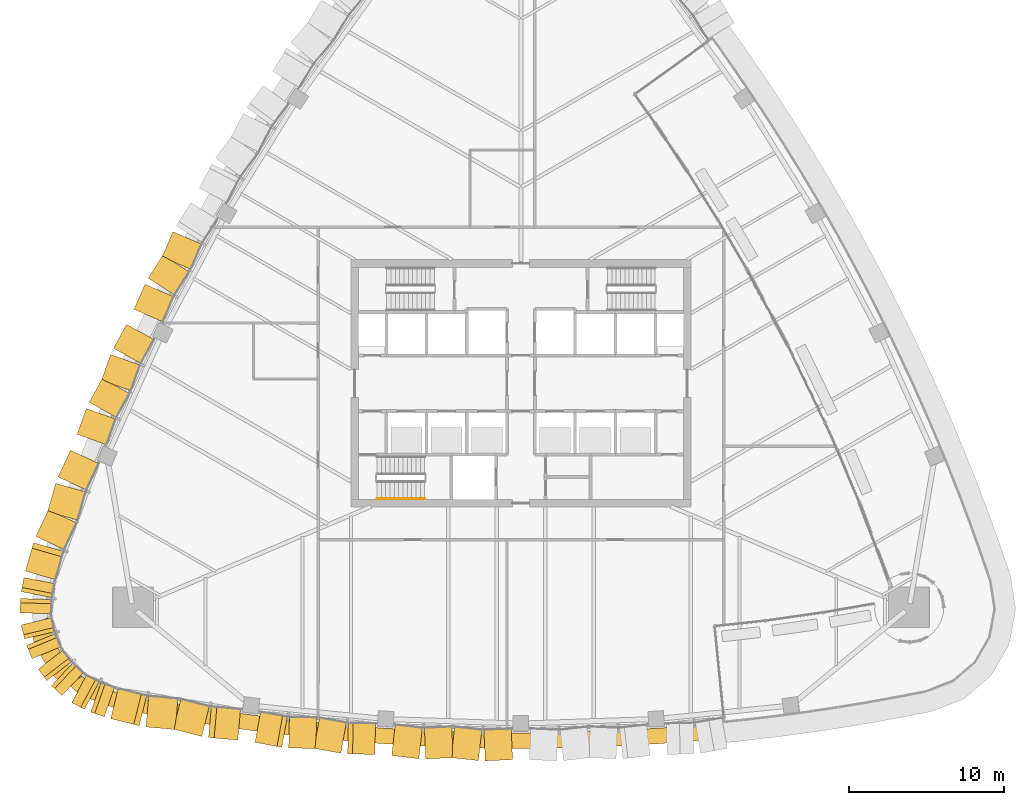
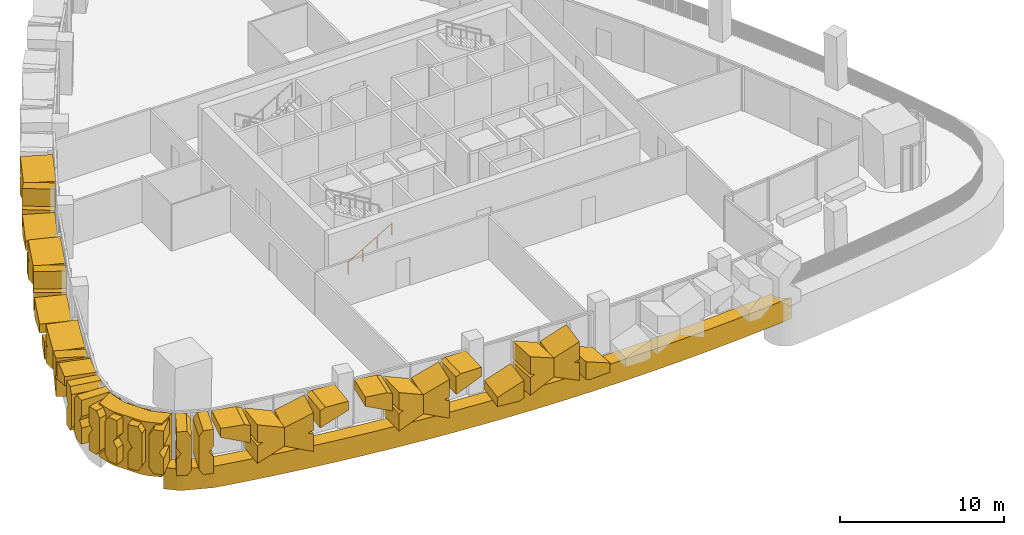
# One storey, part 16 of 20: 33 coverings, 1 railing.
"""IFC4 building model written with IfcOpenShell, lengths in metres."""

import ifcopenshell
import ifcopenshell.guid

model = None  # the IFC model being written
_history = None  # IfcOwnerHistory: only IFC2X3 demands one
_inside = {}  # id of a spatial element -> (the spatial element, [elements in it])
_under = {}  # id of a project, library or spatial element -> (it, [spatial elements below it])
_declared = {}  # id of a project -> (the project, [libraries it declares])
_typed = {}  # id of a type object -> (the type object, [elements of that type])
_made_of = {}  # id of a material, layer set ... -> (it, [elements and type objects made of it])


def new_model(schema):
    """Start an empty IFC model of exactly this schema.

    Asked for "IFC4X3", IfcOpenShell would pick the latest addendum, in which some entities
    have other attributes; the version numbers below select the first issue.
    IFC2X3 requires an IfcOwnerHistory on every rooted entity: one is made here for all.
    """
    global model, _history
    if schema == "IFC4X3":
        model = ifcopenshell.file(schema_version=(4, 3, 0, 0))
    else:
        model = ifcopenshell.file(schema=schema)
    _inside.clear()
    _under.clear()
    _declared.clear()
    _typed.clear()
    _made_of.clear()
    _history = None
    if model.schema == "IFC2X3":
        org = make("IfcOrganization", Name="unknown")
        user = make(
            "IfcPersonAndOrganization",
            ThePerson=make("IfcPerson", FamilyName="unknown"),
            TheOrganization=org,
        )
        app = make(
            "IfcApplication",
            ApplicationDeveloper=org,
            Version="unknown",
            ApplicationFullName="unknown",
            ApplicationIdentifier="unknown",
        )
        _history = make(
            "IfcOwnerHistory",
            OwningUser=user,
            OwningApplication=app,
            ChangeAction="ADDED",
            CreationDate=0,
        )
    return model


def make(cls, **values):
    """One entity of the class cls with the attributes given. An attribute that is None is left unset."""
    return model.create_entity(
        cls, **{name: value for name, value in values.items() if value is not None}
    )


def rooted(cls, **values):
    """An entity with a GlobalId (a new one), such as an element, a storey or a relation."""
    return make(cls, GlobalId=ifcopenshell.guid.new(), OwnerHistory=_history, **values)


def si_unit(unit_type, name, prefix=None):
    """IfcSIUnit, for example si_unit("LENGTHUNIT", "METRE", prefix="MILLI")."""
    return make("IfcSIUnit", UnitType=unit_type, Prefix=prefix, Name=name)


def assignment(units):
    """IfcUnitAssignment: the units of a project."""
    return None if units is None else make("IfcUnitAssignment", Units=units)


def point(xyz):
    """IfcCartesianPoint."""
    return None if xyz is None else make("IfcCartesianPoint", Coordinates=xyz)


def direction(xyz):
    """IfcDirection."""
    return None if xyz is None else make("IfcDirection", DirectionRatios=xyz)


def frame(location, z_axis=None, x_axis=None):
    """IfcAxis2Placement3D, a coordinate frame: its origin and axes. An axis left out is left unset."""
    return make(
        "IfcAxis2Placement3D",
        Location=point(location),
        Axis=direction(z_axis),
        RefDirection=direction(x_axis),
    )


def frame_2d(location, x_axis=None):
    """IfcAxis2Placement2D, a coordinate frame in the plane: its origin and x axis."""
    return make(
        "IfcAxis2Placement2D", Location=point(location), RefDirection=direction(x_axis)
    )


def origin():
    """The frame at (0, 0, 0) with its axes left unset."""
    return frame((0.0, 0.0, 0.0))


def origin_2d():
    """The frame at (0, 0) in the plane with its x axis left unset."""
    return frame_2d((0.0, 0.0))


def place(relative_to, where):
    """IfcLocalPlacement: puts the frame where relative to a parent placement (None: the world)."""
    return make(
        "IfcLocalPlacement", PlacementRelTo=relative_to, RelativePlacement=where
    )


def context(
    kind, dimensions, precision=None, world=None, true_north=None, identifier=None
):
    """IfcGeometricRepresentationContext, for example the 3D "Model" context."""
    return make(
        "IfcGeometricRepresentationContext",
        ContextIdentifier=identifier,
        ContextType=kind,
        CoordinateSpaceDimension=dimensions,
        Precision=precision,
        WorldCoordinateSystem=world,
        TrueNorth=true_north,
    )


def subcontext(parent, identifier, kind, view, scale=None):
    """IfcGeometricRepresentationSubContext, for example "Body" below "Model"."""
    return make(
        "IfcGeometricRepresentationSubContext",
        ContextIdentifier=identifier,
        ContextType=kind,
        ParentContext=parent,
        TargetScale=scale,
        TargetView=view,
    )


def project(units=None, contexts=None):
    """IfcProject with its units and contexts."""
    return rooted(
        "IfcProject",
        Name="project",
        RepresentationContexts=contexts,
        UnitsInContext=assignment(units),
    )


def spatial(cls, under=None, at=None, **own):
    """A site, building, storey or space (cls), placed at a placement, below another one or the project."""
    s = rooted(cls, ObjectPlacement=at, **own)
    if under is not None:
        _under.setdefault(under.id(), (under, []))[1].append(s)
    return s


def polyline(points):
    """IfcPolyline through the points."""
    return make("IfcPolyline", Points=[point(p) for p in points])


def profile(cls, at=None, kind="AREA", **sizes):
    """A parametric profile (cls). Its sizes go by their IFC names, for example OverallWidth=200.0."""
    return make(cls, ProfileType=kind, Position=at, **sizes)


def circle(**sizes):
    """IfcCircleProfileDef."""
    return profile("IfcCircleProfileDef", **sizes)


def outline(outer, holes=None, kind="AREA"):
    """IfcArbitraryClosedProfileDef: a profile drawn as a closed curve; with holes, ...WithVoids."""
    if holes is None:
        return make("IfcArbitraryClosedProfileDef", ProfileType=kind, OuterCurve=outer)
    return make(
        "IfcArbitraryProfileDefWithVoids",
        ProfileType=kind,
        OuterCurve=outer,
        InnerCurves=holes,
    )


def extrude(swept, where, along, depth):
    """IfcExtrudedAreaSolid: the profile swept, set in the frame where, extruded along a direction by depth."""
    return make(
        "IfcExtrudedAreaSolid",
        SweptArea=swept,
        Position=where,
        ExtrudedDirection=direction(along),
        Depth=depth,
    )


def shape(context_of_items, identifier, shape_type, items):
    """IfcShapeRepresentation: the items that make up one representation, for example the "Body"."""
    return make(
        "IfcShapeRepresentation",
        ContextOfItems=context_of_items,
        RepresentationIdentifier=identifier,
        RepresentationType=shape_type,
        Items=items,
    )


def material(Name=None, Category=None):
    """IfcMaterial."""
    return make("IfcMaterial", Name=Name, Category=Category)


def layer(
    of_material, thickness, ventilated=None, Name=None, Category=None, Priority=None
):
    """IfcMaterialLayer: one layer of a wall or slab, of a material (None: an air gap)."""
    return make(
        "IfcMaterialLayer",
        Material=of_material,
        LayerThickness=thickness,
        IsVentilated=ventilated,
        Name=Name,
        Category=Category,
        Priority=Priority,
    )


def layer_set(layers, Name=None):
    """IfcMaterialLayerSet."""
    return make("IfcMaterialLayerSet", MaterialLayers=layers, LayerSetName=Name)


def made_of(thing, what):
    """Note that an element or type object is made of a material, layer set ...; save() writes the relation."""
    if what is not None:
        _made_of.setdefault(what.id(), (what, []))[1].append(thing)
    return thing


def type_object(cls, material=None, **own):
    """A type object (cls), such as IfcWallType, which elements share."""
    return made_of(rooted(cls, **own), material)


def element(
    cls,
    number,
    at=None,
    inside=None,
    cuts=None,
    type_object=None,
    material=None,
    context=None,
    identifier="Body",
    shape_type=None,
    held_by="IfcProductDefinitionShape",
    body=None,
    shapes=None,
    **own,
):
    """One element of the class cls, such as IfcWall. Its Tag is "e" and its number.

    at: its placement. inside: the storey or other place that contains it. cuts: it is an
    opening in that element (IfcRelVoidsElement). A single representation is given by context,
    identifier, shape_type and body (its items); several are given by shapes. held_by: the class
    of the entity that holds the representations. save() writes the other relations.
    """
    e = rooted(cls, Tag="e%d" % number, ObjectPlacement=at, **own)
    if body is not None:
        shapes = [shape(context, identifier, shape_type, body)]
    if shapes is not None:
        e.Representation = make(held_by, Representations=shapes)
    if inside is not None:
        _inside.setdefault(inside.id(), (inside, []))[1].append(e)
    if cuts is not None:
        rooted(
            "IfcRelVoidsElement", RelatingBuildingElement=cuts, RelatedOpeningElement=e
        )
    if type_object is not None:
        _typed.setdefault(type_object.id(), (type_object, []))[1].append(e)
    return made_of(e, material)


def aggregate(whole, parts):
    """IfcRelAggregates: a whole, such as a stair, and the parts it consists of."""
    return rooted("IfcRelAggregates", RelatingObject=whole, RelatedObjects=parts)


def save(model, path):
    """Write the relations noted so far, then the file.

    IfcRelAggregates (storeys below a building ...), IfcRelContainedInSpatialStructure (elements
    in a storey), IfcRelDefinesByType, IfcRelAssociatesMaterial and IfcRelDeclares: one each for
    every whole, place, type object, material and project.
    """
    for whole, parts in _under.values():
        aggregate(whole, parts)
    for where, things in _inside.values():
        rooted(
            "IfcRelContainedInSpatialStructure",
            RelatedElements=things,
            RelatingStructure=where,
        )
    for kind, things in _typed.values():
        rooted("IfcRelDefinesByType", RelatedObjects=things, RelatingType=kind)
    for what, things in _made_of.values():
        rooted("IfcRelAssociatesMaterial", RelatedObjects=things, RelatingMaterial=what)
    for by, libraries in _declared.values():
        rooted("IfcRelDeclares", RelatingContext=by, RelatedDefinitions=libraries)
    model.write(path)


model = new_model("IFC4")

# Units and contexts
model_context = context("Model", 3, precision=1e-05, world=origin(), true_north=direction((0.0, 1.0)))
body_context = subcontext(model_context, "Body", "Model", "MODEL_VIEW")
ifc_project = project(units=[si_unit("LENGTHUNIT", "METRE"), si_unit("AREAUNIT", "SQUARE_METRE"), si_unit("VOLUMEUNIT", "CUBIC_METRE"), si_unit("PLANEANGLEUNIT", "RADIAN"), si_unit("MASSUNIT", "GRAM", prefix="KILO")], contexts=[model_context])

# Site, building, storey
site_placement = place(None, origin())
site = spatial("IfcSite", under=ifc_project, at=site_placement, CompositionType="ELEMENT")
building_placement = place(site_placement, origin())
building = spatial("IfcBuilding", under=site, at=building_placement, Name="Sierra Prisma Convention Tower", CompositionType="ELEMENT")
storey_placement = place(building_placement, frame((0.0, 0.0, 125.800048828125)))
storey = spatial("IfcBuildingStorey", under=building, at=storey_placement, Name="L26", CompositionType="ELEMENT", Elevation=125.800048828125)

# Coverings
ifc_material_1 = material(Name="Aluminium composite bronze anodised", Category="aluminium")
ifc_layer_1 = layer(ifc_material_1, 1.199951171875)
ifc_layer_set_1 = layer_set([ifc_layer_1], Name="Bronze corner pier")
covering_type_1 = type_object("IfcCoveringType", Name="Bronze corner pier", PredefinedType="CLADDING", material=ifc_layer_set_1)
covering_1_placement = place(storey_placement, frame((0.0, 0.0, -0.60009765625)))
element("IfcCovering", 1, at=covering_1_placement, inside=storey, type_object=covering_type_1, Name="Corner pier SW L26.1", PredefinedType="CLADDING", context=body_context, shape_type="SweptSolid", body=[
    extrude(outline(polyline([(-30.421630859375, -18.64794921875), (-31.360595703125, -17.021728515625), (-31.500732421875, -16.642578125), (-31.6689453125, -15.74365234375), (-30.567138671875, -15.107666015625), (-30.3212890625, -16.421875), (-29.38232421875, -18.048095703125), (-28.3671875, -18.918212890625), (-29.468994140625, -19.55419921875), (-30.1630859375, -18.959228515625), (-30.421630859375, -18.64794921875)])), origin(), (0.0, 0.0, 1.0), 4.0),
])
ifc_material_2 = material(Name="Aluminium 6063-T6 bronze anodised", Category="aluminium")
ifc_layer_2 = layer(ifc_material_2, 2.0)
ifc_layer_set_2 = layer_set([ifc_layer_2], Name="Bronze crystal chevron frame")
covering_type_2 = type_object("IfcCoveringType", Name="Bronze crystal chevron frame", PredefinedType="CLADDING", material=ifc_layer_set_2)
covering_2_placement = place(storey_placement, frame((-22.49072265625, 9.8095703125, 1.501953125), z_axis=(-0.916481510141, 0.400077044543, 0.0), x_axis=(0.0, 0.0, -1.0)))
element("IfcCovering", 2, at=covering_2_placement, inside=storey, type_object=covering_type_2, Name="CW-2 chevron frame NW4.1.2", PredefinedType="CLADDING", context=body_context, shape_type="SweptSolid", body=[
    extrude(outline(polyline([(0.0, 0.0), (1.3076171875, 0.0), (0.541748046875, 1.7690861965269538), (-0.81787109375, 1.7690861965269538), (-1.583740234375, 0.0), (-0.276123046875, 0.0), (-0.137939453125, 0.3188155724828706), (0.0, 0.0)])), origin(), (0.0, 0.0, -1.0), 2.0),
])
covering_3_placement = place(storey_placement, frame((-23.139892578125, 8.2978515625, 0.960205078125), z_axis=(-0.84257546134, 0.538578306235, 0.0), x_axis=(-0.49425753031, -0.773238100756, -0.3972560047)))
element("IfcCovering", 3, at=covering_3_placement, inside=storey, type_object=covering_type_2, Name="CW-2 chevron frame NW4.2.1", PredefinedType="CLADDING", context=body_context, shape_type="SweptSolid", body=[
    extrude(outline(polyline([(0.0, 0.0), (1.9278982106356317, -1.1102230246251565e-16), (1.4084394310525954, 1.2000105355202149), (1.0608461466466526, 1.1998535505916716), (1.298747892645498, 1.4534108185062795), (0.7792891130624618, 2.6534213540264946), (-0.5401168677180599, 1.2477331352337708), (0.0, 0.0)])), origin(), (0.0, 0.0, -1.0), 2.0),
])
covering_4_placement = place(storey_placement, frame((-24.301513671875, 6.416015625, 0.137939453125), z_axis=(-0.916484833458, 0.400069428355, 5.0369001e-05), x_axis=(-0.367211850035, -0.841164236915, -0.396986377259)))
element("IfcCovering", 4, at=covering_4_placement, inside=storey, type_object=covering_type_2, Name="CW-2 chevron frame NW4.2.2", PredefinedType="CLADDING", context=body_context, shape_type="SweptSolid", body=[
    extrude(outline(polyline([(0.0, 0.0), (0.3474664776139626, 0.0), (1.6784707406628647, 0.5756989111240234), (1.4086440623697327, 1.1995327513134582), (-0.5191062101070458, 1.2001630919736395), (0.0, 0.0)])), origin(), (0.0, 0.0, -1.0), 2.0),
])
covering_5_placement = place(storey_placement, frame((-26.18603515625, 2.548583984375, 0.0), z_axis=(-0.876723035717, 0.480995548517, -3.0830599e-05), x_axis=(-0.441108773362, -0.803994818289, 0.398767328436)))
element("IfcCovering", 5, at=covering_5_placement, inside=storey, type_object=covering_type_2, Name="CW-2 chevron frame NW5.1.1", PredefinedType="CLADDING", context=body_context, shape_type="SweptSolid", body=[
    extrude(outline(polyline([(0.0, 0.0), (0.34469015880656095, 2.7755575615628914e-17), (0.866514592501743, 1.2000486912246806), (-1.0536022727658325, 1.19984230450631), (-1.3248341519215745, 0.5760856526869146), (0.0, 0.0)])), origin(), (0.0, 0.0, -1.0), 2.0),
])
covering_6_placement = place(storey_placement, frame((-26.5205078125, 1.8671875, 1.50244140625), z_axis=(-0.941196401395, 0.337859932518, 0.0), x_axis=(0.0, 0.0, -1.0)))
element("IfcCovering", 6, at=covering_6_placement, inside=storey, type_object=covering_type_2, Name="CW-2 chevron frame NW5.1.2", PredefinedType="CLADDING", context=body_context, shape_type="SweptSolid", body=[
    extrude(outline(polyline([(0.0, 0.0), (1.30859375, 0.0), (0.542724609375, 1.7610222228069206), (-0.81787109375, 1.7610222228069206), (-1.58349609375, 0.0), (-0.27490234375, 0.0), (-0.137451171875, 0.3161531259303939), (0.0, 0.0)])), origin(), (0.0, 0.0, -1.0), 2.0),
])
covering_7_placement = place(storey_placement, frame((-27.064453125, 0.322998046875, 0.959716796875), z_axis=(-0.876694239659, 0.4810480331, 0.0), x_axis=(-0.441138713155, -0.803960814934, -0.398802763038)))
element("IfcCovering", 7, at=covering_7_placement, inside=storey, type_object=covering_type_2, Name="CW-2 chevron frame NW5.2.1", PredefinedType="CLADDING", context=body_context, shape_type="SweptSolid", body=[
    extrude(outline(polyline([(0.0, 0.0), (1.9204208486181995, 1.1102230246251565e-16), (1.39855004542375, 1.2000285277076719), (1.053663605079295, 1.1999298473972457), (1.2889182311705878, 1.4521240728940223), (0.7670474279761381, 2.6521526006016947), (-0.5426093257840797, 1.247716228528891), (0.0, 0.0)])), origin(), (0.0, 0.0, -1.0), 2.0),
])
covering_8_placement = place(storey_placement, frame((-28.09375, -1.625244140625, 0.137451171875), z_axis=(-0.941154676236, 0.337976145141, 2.6734098e-05), x_axis=(-0.30997308936, -0.863143656571, -0.398622267307)))
element("IfcCovering", 8, at=covering_8_placement, inside=storey, type_object=covering_type_2, Name="CW-2 chevron frame NW5.2.2", PredefinedType="CLADDING", context=body_context, shape_type="SweptSolid", body=[
    extrude(outline(polyline([(0.0, 0.0), (0.34481559252788013, 2.7755575615628914e-17), (1.669927005082173, 0.575956998642358), (1.398793792992737, 1.199756545268082), (-0.5216346076092527, 1.200131216767366), (0.0, 0.0)])), origin(), (0.0, 0.0, -1.0), 2.0),
])
covering_9_placement = place(storey_placement, frame((-29.765380859375, -5.71533203125, 0.0), z_axis=(-0.906896400979, 0.421353668808, 6.0598035e-05), x_axis=(-0.390456496989, -0.840449218429, 0.375751028209)))
element("IfcCovering", 9, at=covering_9_placement, inside=storey, type_object=covering_type_2, Name="CW-2 chevron frame NW6.1.1", PredefinedType="CLADDING", context=body_context, shape_type="SweptSolid", body=[
    extrude(outline(polyline([(0.0, 0.0), (0.3891945214160251, 2.7755575615628914e-17), (0.8756710113072074, 1.1998045901372278), (-1.1719518056449219, 1.1999225024420404), (-1.42431779163222, 0.5775083166099614), (0.0, 0.0)])), origin(), (0.0, 0.0, -1.0), 2.0),
])
covering_10_placement = place(storey_placement, frame((-30.072021484375, -6.4580078125, 1.49365234375), z_axis=(-0.961649368137, 0.27428177621, 0.0), x_axis=(0.0, 0.0, -1.0)))
element("IfcCovering", 10, at=covering_10_placement, inside=storey, type_object=covering_type_2, Name="CW-2 chevron frame NW6.1.2", PredefinedType="CLADDING", context=body_context, shape_type="SweptSolid", body=[
    extrude(outline(polyline([(0.0, 0.0), (1.294677734375, 0.0), (0.525390625, 1.8977289486589086), (-0.818115234375, 1.8977289486589086), (-1.58740234375, 0.0), (-0.29248046875, 0.0), (-0.146240234375, 0.36073922643757694), (0.0, 0.0)])), origin(), (0.0, 0.0, -1.0), 2.0),
])
covering_11_placement = place(storey_placement, frame((-30.54931640625, -8.16650390625, 0.96826171875), z_axis=(-0.906896402875, 0.421353669086, 0.0), x_axis=(-0.390486262733, -0.84045924606, -0.37569766346)))
element("IfcCovering", 11, at=covering_11_placement, inside=storey, type_object=covering_type_2, Name="CW-2 chevron frame NW6.2.1", PredefinedType="CLADDING", context=body_context, shape_type="SweptSolid", body=[
    extrude(outline(polyline([(0.0, 0.0), (2.0476228206760254, 1.1102230246251565e-16), (1.5612154209378775, 1.1998326038937084), (1.17202090298068, 1.1998550085550788), (1.451331192220868, 1.470886622272864), (0.9648320694203517, 2.6709454816076232), (-0.5047520122117725, 1.245083692103918), (0.0, 0.0)])), origin(), (0.0, 0.0, -1.0), 2.0),
])
covering_12_placement = place(storey_placement, frame((-31.503662109375, -10.302978515625, 1.8388671875), z_axis=(-0.961617355706, 0.274393982861, -5.8093214e-05), x_axis=(-0.254316846281, -0.891177229722, 0.375667521783)))
element("IfcCovering", 12, at=covering_12_placement, inside=storey, type_object=covering_type_2, Name="CW-2 chevron frame NW6.2.2", PredefinedType="CLADDING", context=body_context, shape_type="SweptSolid", body=[
    extrude(outline(polyline([(0.0, 0.0), (2.0477871060615453, 1.1102230246251565e-16), (2.300188722259172, 0.6226631820192818), (0.8757765781512752, 1.200060308019349), (0.486460091683217, 1.2000746792987902), (0.0, 0.0)])), origin(), (0.0, 0.0, -1.0), 2.0),
])
covering_13_placement = place(storey_placement, frame((-32.125244140625, -12.55078125, 0.0), z_axis=(-0.982025285236, 0.188749408362, 0.0), x_axis=(-0.188749408362, -0.982025285236, 0.0)))
element("IfcCovering", 13, at=covering_13_placement, inside=storey, type_object=covering_type_2, Name="CW-2 chevron frame SW1.1.1", PredefinedType="CLADDING", context=body_context, shape_type="SweptSolid", body=[
    extrude(outline(polyline([(0.0, 0.0), (0.652574725478307, 0.0), (0.9260714755594659, 0.4267578125), (0.9260714755594659, 2.853271484375), (0.652574725478307, 3.280029296875), (0.0, 3.280029296875), (0.0, 2.074462890625), (0.2784300396148033, 1.639892578125), (0.0, 1.20556640625), (0.0, 0.0)])), origin(), (0.0, 0.0, -1.0), 2.0),
])
covering_14_placement = place(storey_placement, frame((-32.349365234375, -13.90087890625, 0.4267578125), z_axis=(-0.999464665597, 0.032716696407, 0.0), x_axis=(-0.017656822875, -0.539399527115, -0.84186482689)))
element("IfcCovering", 14, at=covering_14_placement, inside=storey, type_object=covering_type_2, Name="CW-2 chevron frame SW1.1.2", PredefinedType="CLADDING", context=body_context, shape_type="SweptSolid", body=[
    extrude(outline(polyline([(0.0, 0.0), (0.50691963705946, -5.551115123125783e-17), (0.8591728931299756, 0.5494830053168891), (-0.15575106077159506, 1.2001132595130357), (-0.6716803308873921, 1.200082623692331), (-0.8872444491749345, 1.6690466484729558), (-1.9021684030765051, 2.3196769026691024), (-2.2544216591470208, 1.7701938973522133), (-2.042796512318289, 1.3095613804081614), (0.0, 0.0)])), origin(), (0.0, 0.0, -1.0), 2.0),
])
covering_15_placement = place(storey_placement, frame((-32.30078125, -15.609375, 0.0), z_axis=(-0.972907353651, -0.231195331292, 0.0), x_axis=(0.231195331292, -0.972907353651, 0.0)))
element("IfcCovering", 15, at=covering_15_placement, inside=storey, type_object=covering_type_2, Name="CW-2 chevron frame SW2.1.1", PredefinedType="CLADDING", context=body_context, shape_type="SweptSolid", body=[
    extrude(outline(polyline([(0.0, 0.0), (0.6526881693323965, 0.0), (0.9262107782885852, 0.4267578125), (0.9262107782885852, 2.853271484375), (0.6526881693323965, 3.280029296875), (0.0, 3.280029296875), (0.0, 2.074462890625), (0.278498909834654, 1.639892578125), (0.0, 1.20556640625), (0.0, 0.0)])), origin(), (0.0, 0.0, -1.0), 2.0),
])
covering_16_placement = place(storey_placement, frame((-31.95068359375, -16.932373046875, 0.4267578125), z_axis=(-0.924766794315, -0.380534329769, 0.0), x_axis=(0.205365865594, -0.49907595276, -0.841871756638)))
element("IfcCovering", 16, at=covering_16_placement, inside=storey, type_object=covering_type_2, Name="CW-2 chevron frame SW2.1.2", PredefinedType="CLADDING", context=body_context, shape_type="SweptSolid", body=[
    extrude(outline(polyline([(0.0, 0.0), (0.5069154644218812, 0.0), (0.8592279440324733, 0.5495909207124463), (-0.15570436414141098, 1.2002081428203244), (-0.6716574332062095, 1.2001337563361867), (-0.8872037737790891, 1.6691321390702103), (-1.9021360819529733, 2.319749361178088), (-2.2544485615635654, 1.7701584404656419), (-2.0428133274484073, 1.3095351499656134), (0.0, 0.0)])), origin(), (0.0, 0.0, -1.0), 2.0),
])
covering_17_placement = place(storey_placement, frame((-31.20458984375, -18.47021484375, 0.0), z_axis=(-0.792034910397, -0.610475798629, 0.0), x_axis=(0.610475798629, -0.792034910397, 0.0)))
element("IfcCovering", 17, at=covering_17_placement, inside=storey, type_object=covering_type_2, Name="CW-2 chevron frame SW3.1.1", PredefinedType="CLADDING", context=body_context, shape_type="SweptSolid", body=[
    extrude(outline(polyline([(0.0, 0.0), (0.6525962911801547, 0.0), (0.9262516736740916, 0.4267578125), (0.9262516736740916, 2.853271484375), (0.6525962911801547, 3.280029296875), (0.0, 3.280029296875), (0.0, 2.074462890625), (0.27853777217897263, 1.639892578125), (0.0, 1.20556640625), (0.0, 0.0)])), origin(), (0.0, 0.0, -1.0), 2.0),
])
covering_18_placement = place(storey_placement, frame((-30.341796875, -19.53271484375, 0.4267578125), z_axis=(-0.686794400068, -0.726851740065, 0.0), x_axis=(0.39208089232, -0.37047302273, -0.842034627143)))
element("IfcCovering", 18, at=covering_18_placement, inside=storey, type_object=covering_type_2, Name="CW-2 chevron frame SW3.1.2", PredefinedType="CLADDING", context=body_context, shape_type="SweptSolid", body=[
    extrude(outline(polyline([(0.0, 0.0), (0.5068174143244077, 0.0), (0.8588685968218368, 0.5495483590533019), (-0.15626006256045638, 1.19985918072187), (-0.6721524058752045, 1.1997237674946988), (-0.8879009898066252, 1.668562342795267), (-1.9030296491889185, 2.318873164463835), (-2.2550808316863473, 1.769324805410533), (-2.0432085349535463, 1.3089184399683875), (0.0, 0.0)])), origin(), (0.0, 0.0, -1.0), 2.0),
])
covering_19_placement = place(storey_placement, frame((-29.030029296875, -20.628173828125, 0.0), z_axis=(-0.471285752961, -0.881980577482, 0.0), x_axis=(0.881980577482, -0.471285752961, 0.0)))
element("IfcCovering", 19, at=covering_19_placement, inside=storey, type_object=covering_type_2, Name="CW-2 chevron frame SW4.1.1", PredefinedType="CLADDING", context=body_context, shape_type="SweptSolid", body=[
    extrude(outline(polyline([(0.0, 0.0), (0.6527173462973843, 0.0), (0.9262123873413064, 0.4267578125000001), (0.9262123873413064, 2.8532714843750004), (0.6527173462973843, 3.280029296875001), (0.0, 3.280029296875001), (0.0, 2.0744628906250004), (0.278521532236376, 1.6398925781250004), (0.0, 1.2055664062500002), (0.0, 0.0)])), origin(), (0.0, 0.0, -1.0), 2.0),
])
covering_20_placement = place(storey_placement, frame((-27.806884765625, -21.242431640625, 0.4267578125), z_axis=(-0.327665333285, -0.944793855485, 0.0), x_axis=(0.509657818145, -0.176755170321, -0.84202524794)))
element("IfcCovering", 20, at=covering_20_placement, inside=storey, type_object=covering_type_2, Name="CW-2 chevron frame SW4.1.2", PredefinedType="CLADDING", context=body_context, shape_type="SweptSolid", body=[
    extrude(outline(polyline([(0.0, 0.0), (0.5068230596934553, 2.7755575615628914e-17), (0.858930769126158, 0.5496155575879971), (-0.15618658300441635, 1.199944029425077), (-0.6721730277665456, 1.1996707038946173), (-0.8878193606943139, 1.668659912630457), (-1.9029367128248882, 2.318988384467537), (-2.255044422257591, 1.7693728268795401), (-2.0431857761899104, 1.3089539654898212), (0.0, 0.0)])), origin(), (0.0, 0.0, -1.0), 2.0),
])
covering_21_placement = place(storey_placement, frame((-26.51513671875, -21.669921875, 2.608154296875), z_axis=(-0.243296080987, -0.969952068147, -4.9739063e-05), x_axis=(0.898898439817, -0.225454213388, -0.375701999675)))
element("IfcCovering", 21, at=covering_21_placement, inside=storey, type_object=covering_type_2, Name="CW-2 chevron frame S1.1.1", PredefinedType="CLADDING", context=body_context, shape_type="SweptSolid", body=[
    extrude(outline(polyline([(0.0, 0.0), (2.047599183660776, 0.0), (1.5610944458007885, 1.2000565812681017), (1.1719086487622947, 1.2000807056565357), (-0.2524247810314263, 0.622653791789181), (0.0, 0.0)])), origin(), (0.0, 0.0, -1.0), 2.0),
])
covering_22_placement = place(storey_placement, frame((-24.2373046875, -22.205322265625, 1.49365234375), z_axis=(-0.088503908198, -0.99607582956, 0.0), x_axis=(0.0, 0.0, -1.0)))
element("IfcCovering", 22, at=covering_22_placement, inside=storey, type_object=covering_type_2, Name="CW-2 chevron frame S1.1.2", PredefinedType="CLADDING", context=body_context, shape_type="SweptSolid", body=[
    extrude(outline(polyline([(0.0, 0.0), (1.294677734375, 0.0), (0.525390625, 1.8978285735164675), (-0.818115234375, 1.8978285735164675), (-1.58740234375, 0.0), (-0.29248046875, 0.0), (-0.146240234375, 0.3607953205777066), (0.0, 0.0)])), origin(), (0.0, 0.0, -1.0), 2.0),
])
covering_23_placement = place(storey_placement, frame((-22.469482421875, -22.3525390625, 0.96826171875), z_axis=(-0.243287591871, -0.969954198734, 0.0), x_axis=(0.898895866619, -0.225464471433, -0.375702000388)))
element("IfcCovering", 23, at=covering_23_placement, inside=storey, type_object=covering_type_2, Name="CW-2 chevron frame S1.2.1", PredefinedType="CLADDING", context=body_context, shape_type="SweptSolid", body=[
    extrude(outline(polyline([(0.0, 0.0), (2.047599183874009, 0.0), (1.5611861692110758, 1.1998303276100752), (1.1719453281919712, 1.1998321315360188), (1.451300672027181, 1.4708838317543087), (0.9647959332430595, 2.670940414376191), (-0.5047578389006451, 1.245081329971383), (0.0, 0.0)])), origin(), (0.0, 0.0, -1.0), 2.0),
])
covering_24_placement = place(storey_placement, frame((-20.191650390625, -22.887939453125, 1.8388671875), z_axis=(-0.088503908389, -0.996075829253, -2.4053204e-05), x_axis=(0.923119203637, -0.082030595368, 0.375661972124)))
element("IfcCovering", 24, at=covering_24_placement, inside=storey, type_object=covering_type_2, Name="CW-2 chevron frame S1.2.2", PredefinedType="CLADDING", context=body_context, shape_type="SweptSolid", body=[
    extrude(outline(polyline([(0.0, 0.0), (2.0478173626800515, 2.220446049250313e-16), (2.300215250200987, 0.6226646944695032), (0.8757593010732109, 1.2000696387105134), (0.48645290530924523, 1.200077594282792), (0.0, 0.0)])), origin(), (0.0, 0.0, -1.0), 2.0),
])
covering_25_placement = place(storey_placement, frame((-17.187255859375, -23.2041015625, 2.599609375), z_axis=(-0.177876793572, -0.984052764596, -5.2901946e-05), x_axis=(0.902453502369, -0.163105524707, -0.398715768276)))
element("IfcCovering", 25, at=covering_25_placement, inside=storey, type_object=covering_type_2, Name="CW-2 chevron frame S2.1.1", PredefinedType="CLADDING", context=body_context, shape_type="SweptSolid", body=[
    extrude(outline(polyline([(0.0, 0.0), (1.9202275384101586, 1.1102230246251565e-16), (1.3984705760177065, 1.2000780266056308), (1.0535927772524443, 1.20001582985789), (-0.27129415190070216, 0.6239957948040844), (0.0, 0.0)])), origin(), (0.0, 0.0, -1.0), 2.0),
])
covering_26_placement = place(storey_placement, frame((-15.01318359375, -23.561767578125, 1.50244140625), z_axis=(-0.021768902176, -0.999763029371, 0.0), x_axis=(0.0, 0.0, -1.0)))
element("IfcCovering", 26, at=covering_26_placement, inside=storey, type_object=covering_type_2, Name="CW-2 chevron frame S2.1.2", PredefinedType="CLADDING", context=body_context, shape_type="SweptSolid", body=[
    extrude(outline(polyline([(0.0, 0.0), (1.30859375, 0.0), (0.542724609375, 1.760915264267437), (-0.81787109375, 1.760915264267437), (-1.58349609375, 0.0), (-0.27490234375, 0.0), (-0.137451171875, 0.316235999095948), (0.0, 0.0)])), origin(), (0.0, 0.0, -1.0), 2.0),
])
covering_27_placement = place(storey_placement, frame((-13.376220703125, -23.587646484375, 0.959716796875), z_axis=(-0.177875206959, -0.984053052812, 0.0), x_axis=(0.902404261361, -0.163116555852, -0.398822690282)))
element("IfcCovering", 27, at=covering_27_placement, inside=storey, type_object=covering_type_2, Name="CW-2 chevron frame S2.2.1", PredefinedType="CLADDING", context=body_context, shape_type="SweptSolid", body=[
    extrude(outline(polyline([(0.0, 0.0), (1.9203248944619018, 0.0), (1.3984280146005499, 1.2000171870977716), (1.053770541102223, 1.2000105908640197), (1.2887907223013182, 1.452110349909729), (0.7668938424399663, 2.6521275370075004), (-0.5426364387065884, 1.2477044372566943), (0.0, 0.0)])), origin(), (0.0, 0.0, -1.0), 2.0),
])
covering_28_placement = place(storey_placement, frame((-11.2021484375, -23.9453125, 1.833984375), z_axis=(-0.021765849642, -0.999763095586, 2.2205351e-05), x_axis=(0.916871351968, -0.019952357874, 0.398683868943)))
element("IfcCovering", 28, at=covering_28_placement, inside=storey, type_object=covering_type_2, Name="CW-2 chevron frame S2.2.2", PredefinedType="CLADDING", context=body_context, shape_type="SweptSolid", body=[
    extrude(outline(polyline([(0.0, 0.0), (1.9203811825160608, 0.0), (2.191653629474876, 0.624005231850725), (0.866531157853275, 1.200072863524382), (0.5217152191242371, 1.2000961760745914), (0.0, 0.0)])), origin(), (0.0, 0.0, -1.0), 2.0),
])
covering_29_placement = place(storey_placement, frame((-6.9111328125, -24.218017578125, 0.0), z_axis=(-0.111641592911, -0.993748536764, -2.0275562e-05), x_axis=(0.91207668513, -0.102474358222, 0.397007715729)))
element("IfcCovering", 29, at=covering_29_placement, inside=storey, type_object=covering_type_2, Name="CW-2 chevron frame S3.1.1", PredefinedType="CLADDING", context=body_context, shape_type="SweptSolid", body=[
    extrude(outline(polyline([(0.0, 0.0), (0.3474477912565133, 2.7755575615628914e-17), (0.8665819039144063, 1.2001510244204232), (-1.0611962136803599, 1.1995775392284025), (-1.3310373954651944, 0.575749971643179), (0.0, 0.0)])), origin(), (0.0, 0.0, -1.0), 2.0),
])
covering_30_placement = place(storey_placement, frame((-6.151123046875, -24.2685546875, 1.501953125), z_axis=(0.045125510946, -0.998981325282, 0.0), x_axis=(0.0, 0.0, -1.0)))
element("IfcCovering", 30, at=covering_30_placement, inside=storey, type_object=covering_type_2, Name="CW-2 chevron frame S3.1.2", PredefinedType="CLADDING", context=body_context, shape_type="SweptSolid", body=[
    extrude(outline(polyline([(0.0, 0.0), (1.3076171875, 0.0), (0.541748046875, 1.76913619526235), (-0.81787109375, 1.76913619526235), (-1.583740234375, 0.0), (-0.276123046875, 0.0), (-0.137939453125, 0.3189289635348183), (0.0, 0.0)])), origin(), (0.0, 0.0, -1.0), 2.0),
])
covering_31_placement = place(storey_placement, frame((-4.508056640625, -24.1845703125, 0.960205078125), z_axis=(-0.111779484453, -0.993733036009, 0.0), x_axis=(0.911948171588, -0.102579961392, -0.397275576721)))
element("IfcCovering", 31, at=covering_31_placement, inside=storey, type_object=covering_type_2, Name="CW-2 chevron frame S3.2.1", PredefinedType="CLADDING", context=body_context, shape_type="SweptSolid", body=[
    extrude(outline(polyline([(0.0, 0.0), (1.9278032315681142, 0.0), (1.4083188592743228, 1.1999994566615166), (1.0608710804825277, 1.1998980470073275), (1.2986219165812163, 1.4533974001798466), (0.7791375442874248, 2.653396856841363), (-0.5401434782121218, 1.2477216157856583), (0.0, 0.0)])), origin(), (0.0, 0.0, -1.0), 2.0),
])
covering_32_placement = place(storey_placement, frame((-2.306640625, -24.397216796875, 0.137939453125), z_axis=(0.045125102749, -0.998981343659, -1.1116059e-05), x_axis=(0.916785879885, 0.041416661959, -0.397225767739)))
element("IfcCovering", 32, at=covering_32_placement, inside=storey, type_object=covering_type_2, Name="CW-2 chevron frame S3.2.2", PredefinedType="CLADDING", context=body_context, shape_type="SweptSolid", body=[
    extrude(outline(polyline([(0.0, 0.0), (0.34725706279248775, 0.0), (1.6783664042284496, 0.5761565614255295), (1.4083770152182917, 1.1999200000952601), (-0.5194192412135077, 1.2000276499694962), (0.0, 0.0)])), origin(), (0.0, 0.0, -1.0), 2.0),
])
ifc_material_3 = material(Name="Aluminium composite bronze anodised", Category="aluminium")
ifc_layer_3 = layer(ifc_material_3, 1.0)
ifc_layer_set_3 = layer_set([ifc_layer_3], Name="Bronze spandrel band")
covering_type_3 = type_object("IfcCoveringType", Name="Bronze spandrel band", PredefinedType="CLADDING", material=ifc_layer_set_3)
covering_33_placement = place(storey_placement, frame((0.0, 0.0, -1.60009765625)))
element("IfcCovering", 33, at=covering_33_placement, inside=storey, type_object=covering_type_3, Name="Spandrel band L26.2", PredefinedType="CLADDING", context=body_context, shape_type="SweptSolid", body=[
    extrude(outline(polyline([(-26.205810546875, -19.94873046875), (-24.287841796875, -20.323974609375), (-22.364501953125, -20.67041015625), (-20.4365234375, -20.98828125), (-18.50390625, -21.277587890625), (-16.56689453125, -21.5380859375), (-14.62646484375, -21.77001953125), (-12.682861328125, -21.972900390625), (-10.736328125, -22.146728515625), (-8.78759765625, -22.291748046875), (-6.8369140625, -22.407958984375), (-4.884521484375, -22.4951171875), (-2.93115234375, -22.552978515625), (-0.97705078125, -22.58203125), (0.97705078125, -22.58203125), (2.93115234375, -22.552978515625), (4.884521484375, -22.4951171875), (6.8369140625, -22.407958984375), (8.78759765625, -22.291748046875), (10.736328125, -22.146728515625), (12.13232421875, -22.02197265625), (12.1328125, -22.026611328125), (12.147705078125, -22.125732421875), (12.17236328125, -22.22314453125), (12.206298828125, -22.3173828125), (12.24951171875, -22.407958984375), (12.301513671875, -22.493896484375), (12.361572265625, -22.57421875), (12.42919921875, -22.648193359375), (12.50390625, -22.71533203125), (12.584716796875, -22.77490234375), (12.6708984375, -22.825927734375), (12.76171875, -22.868408203125), (12.8564453125, -22.90185546875), (12.953857421875, -22.92578125), (13.0517578125, -22.939697265625), (12.78662109375, -22.96728515625), (12.77197265625, -22.968994140625), (10.825439453125, -23.142822265625), (10.810546875, -23.14404296875), (8.86181640625, -23.2890625), (8.846923828125, -23.2900390625), (6.896240234375, -23.40625), (6.88134765625, -23.406982421875), (4.928955078125, -23.493896484375), (4.914306640625, -23.49462890625), (2.960693359375, -23.552490234375), (2.946044921875, -23.552978515625), (0.991943359375, -23.58203125), (0.97705078125, -23.58203125), (-0.97705078125, -23.58203125), (-0.991943359375, -23.58203125), (-2.946044921875, -23.552978515625), (-2.960693359375, -23.552490234375), (-4.914306640625, -23.49462890625), (-4.928955078125, -23.493896484375), (-6.88134765625, -23.406982421875), (-6.896240234375, -23.40625), (-8.846923828125, -23.2900390625), (-8.86181640625, -23.2890625), (-10.810546875, -23.14404296875), (-10.825439453125, -23.142822265625), (-12.77197265625, -22.968994140625), (-12.78662109375, -22.96728515625), (-14.730224609375, -22.7646484375), (-14.7451171875, -22.762939453125), (-16.685546875, -22.53125), (-16.7001953125, -22.529296875), (-18.63720703125, -22.268798828125), (-18.65185546875, -22.2666015625), (-20.58447265625, -21.977294921875), (-20.59912109375, -21.97509765625), (-22.52734375, -21.656982421875), (-22.5419921875, -21.654541015625), (-24.465087890625, -21.30810546875), (-24.479736328125, -21.305419921875), (-26.397705078125, -20.93017578125), (-26.5673828125, -20.881103515625), (-28.318115234375, -20.202392578125), (-28.607421875, -20.029296875), (-29.277099609375, -19.455078125), (-28.359130859375, -18.925048828125), (-27.95654296875, -19.27001953125), (-26.205810546875, -19.94873046875)])), origin(), (0.0, 0.0, 1.0), 1.60009765625),
])

# Railing
ifc_material_4 = material(Name="Stainless steel", Category="steel")
railing_type = type_object("IfcRailingType", Name="Exit stair handrail", PredefinedType="HANDRAIL", material=ifc_material_4)
railing_placement = place(storey_placement, frame((-9.300048828125, -7.449951171875, 0.16650390625)))
element("IfcRailing", 34, at=railing_placement, inside=storey, type_object=railing_type, Name="L26 S1 stair handrail 1", PredefinedType="HANDRAIL", context=body_context, shape_type="SweptSolid", body=[
    extrude(circle(Radius=0.02392578125, at=origin_2d()), frame((0.0, 0.0, 0.8759765625), z_axis=(0.85927862911, 0.0, 0.511507807912), x_axis=(0.0, 1.0, 0.0)), (0.0, 0.0, 1.0), 3.58447265625),
    extrude(circle(Radius=0.02099609375, at=origin_2d()), origin(), (0.0, 0.0, 1.0), 0.851806640625),
    extrude(circle(Radius=0.02099609375, at=origin_2d()), frame((1.026611328125, 0.0, 0.611083984375)), (0.0, 0.0, 1.0), 0.851806640625),
    extrude(circle(Radius=0.02099609375, at=origin_2d()), frame((2.053466796875, 0.0, 1.222412109375)), (0.0, 0.0, 1.0), 0.851806640625),
    extrude(circle(Radius=0.02099609375, at=origin_2d()), frame((3.080078125, 0.0, 1.83349609375)), (0.0, 0.0, 1.0), 0.851806640625),
])

save(model, "model.ifc")
